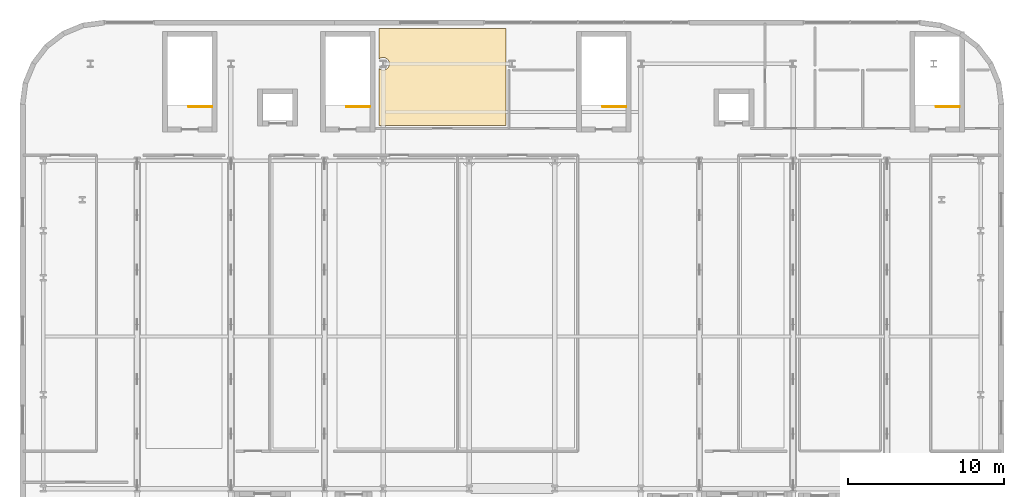
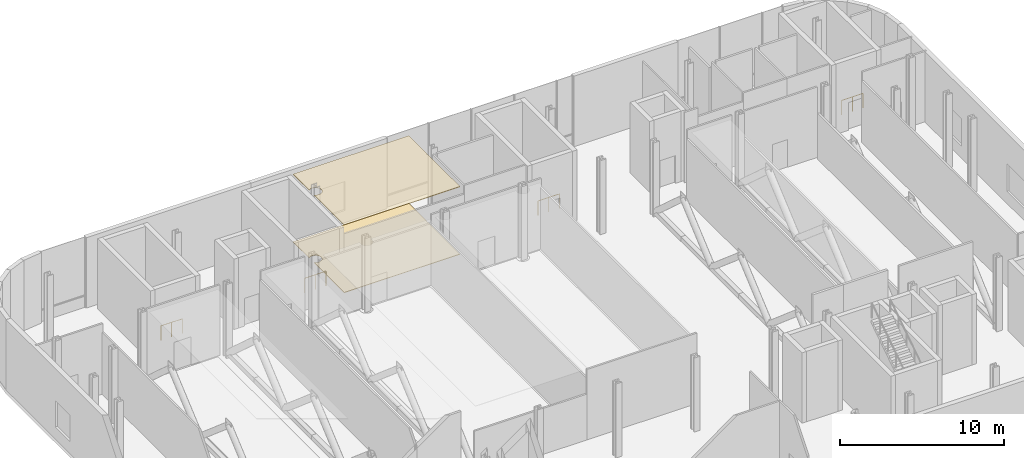
# One storey, part 17 of 17: 4 railings, 2 coverings.
"""IFC4 building model written with IfcOpenShell, lengths in metres."""

import ifcopenshell
import ifcopenshell.guid

model = None  # the IFC model being written
_history = None  # IfcOwnerHistory: only IFC2X3 demands one
_inside = {}  # id of a spatial element -> (the spatial element, [elements in it])
_under = {}  # id of a project, library or spatial element -> (it, [spatial elements below it])
_declared = {}  # id of a project -> (the project, [libraries it declares])
_typed = {}  # id of a type object -> (the type object, [elements of that type])
_made_of = {}  # id of a material, layer set ... -> (it, [elements and type objects made of it])


def new_model(schema):
    """Start an empty IFC model of exactly this schema.

    Asked for "IFC4X3", IfcOpenShell would pick the latest addendum, in which some entities
    have other attributes; the version numbers below select the first issue.
    IFC2X3 requires an IfcOwnerHistory on every rooted entity: one is made here for all.
    """
    global model, _history
    if schema == "IFC4X3":
        model = ifcopenshell.file(schema_version=(4, 3, 0, 0))
    else:
        model = ifcopenshell.file(schema=schema)
    _inside.clear()
    _under.clear()
    _declared.clear()
    _typed.clear()
    _made_of.clear()
    _history = None
    if model.schema == "IFC2X3":
        org = make("IfcOrganization", Name="unknown")
        user = make(
            "IfcPersonAndOrganization",
            ThePerson=make("IfcPerson", FamilyName="unknown"),
            TheOrganization=org,
        )
        app = make(
            "IfcApplication",
            ApplicationDeveloper=org,
            Version="unknown",
            ApplicationFullName="unknown",
            ApplicationIdentifier="unknown",
        )
        _history = make(
            "IfcOwnerHistory",
            OwningUser=user,
            OwningApplication=app,
            ChangeAction="ADDED",
            CreationDate=0,
        )
    return model


def make(cls, **values):
    """One entity of the class cls with the attributes given. An attribute that is None is left unset."""
    return model.create_entity(
        cls, **{name: value for name, value in values.items() if value is not None}
    )


def rooted(cls, **values):
    """An entity with a GlobalId (a new one), such as an element, a storey or a relation."""
    return make(cls, GlobalId=ifcopenshell.guid.new(), OwnerHistory=_history, **values)


def si_unit(unit_type, name, prefix=None):
    """IfcSIUnit, for example si_unit("LENGTHUNIT", "METRE", prefix="MILLI")."""
    return make("IfcSIUnit", UnitType=unit_type, Prefix=prefix, Name=name)


def assignment(units):
    """IfcUnitAssignment: the units of a project."""
    return None if units is None else make("IfcUnitAssignment", Units=units)


def point(xyz):
    """IfcCartesianPoint."""
    return None if xyz is None else make("IfcCartesianPoint", Coordinates=xyz)


def direction(xyz):
    """IfcDirection."""
    return None if xyz is None else make("IfcDirection", DirectionRatios=xyz)


def frame(location, z_axis=None, x_axis=None):
    """IfcAxis2Placement3D, a coordinate frame: its origin and axes. An axis left out is left unset."""
    return make(
        "IfcAxis2Placement3D",
        Location=point(location),
        Axis=direction(z_axis),
        RefDirection=direction(x_axis),
    )


def frame_2d(location, x_axis=None):
    """IfcAxis2Placement2D, a coordinate frame in the plane: its origin and x axis."""
    return make(
        "IfcAxis2Placement2D", Location=point(location), RefDirection=direction(x_axis)
    )


def origin():
    """The frame at (0, 0, 0) with its axes left unset."""
    return frame((0.0, 0.0, 0.0))


def origin_2d():
    """The frame at (0, 0) in the plane with its x axis left unset."""
    return frame_2d((0.0, 0.0))


def place(relative_to, where):
    """IfcLocalPlacement: puts the frame where relative to a parent placement (None: the world)."""
    return make(
        "IfcLocalPlacement", PlacementRelTo=relative_to, RelativePlacement=where
    )


def context(
    kind, dimensions, precision=None, world=None, true_north=None, identifier=None
):
    """IfcGeometricRepresentationContext, for example the 3D "Model" context."""
    return make(
        "IfcGeometricRepresentationContext",
        ContextIdentifier=identifier,
        ContextType=kind,
        CoordinateSpaceDimension=dimensions,
        Precision=precision,
        WorldCoordinateSystem=world,
        TrueNorth=true_north,
    )


def subcontext(parent, identifier, kind, view, scale=None):
    """IfcGeometricRepresentationSubContext, for example "Body" below "Model"."""
    return make(
        "IfcGeometricRepresentationSubContext",
        ContextIdentifier=identifier,
        ContextType=kind,
        ParentContext=parent,
        TargetScale=scale,
        TargetView=view,
    )


def project(units=None, contexts=None):
    """IfcProject with its units and contexts."""
    return rooted(
        "IfcProject",
        Name="project",
        RepresentationContexts=contexts,
        UnitsInContext=assignment(units),
    )


def spatial(cls, under=None, at=None, **own):
    """A site, building, storey or space (cls), placed at a placement, below another one or the project."""
    s = rooted(cls, ObjectPlacement=at, **own)
    if under is not None:
        _under.setdefault(under.id(), (under, []))[1].append(s)
    return s


def polyline(points):
    """IfcPolyline through the points."""
    return make("IfcPolyline", Points=[point(p) for p in points])


def profile(cls, at=None, kind="AREA", **sizes):
    """A parametric profile (cls). Its sizes go by their IFC names, for example OverallWidth=200.0."""
    return make(cls, ProfileType=kind, Position=at, **sizes)


def circle(**sizes):
    """IfcCircleProfileDef."""
    return profile("IfcCircleProfileDef", **sizes)


def outline(outer, holes=None, kind="AREA"):
    """IfcArbitraryClosedProfileDef: a profile drawn as a closed curve; with holes, ...WithVoids."""
    if holes is None:
        return make("IfcArbitraryClosedProfileDef", ProfileType=kind, OuterCurve=outer)
    return make(
        "IfcArbitraryProfileDefWithVoids",
        ProfileType=kind,
        OuterCurve=outer,
        InnerCurves=holes,
    )


def extrude(swept, where, along, depth):
    """IfcExtrudedAreaSolid: the profile swept, set in the frame where, extruded along a direction by depth."""
    return make(
        "IfcExtrudedAreaSolid",
        SweptArea=swept,
        Position=where,
        ExtrudedDirection=direction(along),
        Depth=depth,
    )


def shape(context_of_items, identifier, shape_type, items):
    """IfcShapeRepresentation: the items that make up one representation, for example the "Body"."""
    return make(
        "IfcShapeRepresentation",
        ContextOfItems=context_of_items,
        RepresentationIdentifier=identifier,
        RepresentationType=shape_type,
        Items=items,
    )


def material(Name=None, Category=None):
    """IfcMaterial."""
    return make("IfcMaterial", Name=Name, Category=Category)


def layer(
    of_material, thickness, ventilated=None, Name=None, Category=None, Priority=None
):
    """IfcMaterialLayer: one layer of a wall or slab, of a material (None: an air gap)."""
    return make(
        "IfcMaterialLayer",
        Material=of_material,
        LayerThickness=thickness,
        IsVentilated=ventilated,
        Name=Name,
        Category=Category,
        Priority=Priority,
    )


def layer_set(layers, Name=None):
    """IfcMaterialLayerSet."""
    return make("IfcMaterialLayerSet", MaterialLayers=layers, LayerSetName=Name)


def made_of(thing, what):
    """Note that an element or type object is made of a material, layer set ...; save() writes the relation."""
    if what is not None:
        _made_of.setdefault(what.id(), (what, []))[1].append(thing)
    return thing


def type_object(cls, material=None, **own):
    """A type object (cls), such as IfcWallType, which elements share."""
    return made_of(rooted(cls, **own), material)


def element(
    cls,
    number,
    at=None,
    inside=None,
    cuts=None,
    type_object=None,
    material=None,
    context=None,
    identifier="Body",
    shape_type=None,
    held_by="IfcProductDefinitionShape",
    body=None,
    shapes=None,
    **own,
):
    """One element of the class cls, such as IfcWall. Its Tag is "e" and its number.

    at: its placement. inside: the storey or other place that contains it. cuts: it is an
    opening in that element (IfcRelVoidsElement). A single representation is given by context,
    identifier, shape_type and body (its items); several are given by shapes. held_by: the class
    of the entity that holds the representations. save() writes the other relations.
    """
    e = rooted(cls, Tag="e%d" % number, ObjectPlacement=at, **own)
    if body is not None:
        shapes = [shape(context, identifier, shape_type, body)]
    if shapes is not None:
        e.Representation = make(held_by, Representations=shapes)
    if inside is not None:
        _inside.setdefault(inside.id(), (inside, []))[1].append(e)
    if cuts is not None:
        rooted(
            "IfcRelVoidsElement", RelatingBuildingElement=cuts, RelatedOpeningElement=e
        )
    if type_object is not None:
        _typed.setdefault(type_object.id(), (type_object, []))[1].append(e)
    return made_of(e, material)


def aggregate(whole, parts):
    """IfcRelAggregates: a whole, such as a stair, and the parts it consists of."""
    return rooted("IfcRelAggregates", RelatingObject=whole, RelatedObjects=parts)


def save(model, path):
    """Write the relations noted so far, then the file.

    IfcRelAggregates (storeys below a building ...), IfcRelContainedInSpatialStructure (elements
    in a storey), IfcRelDefinesByType, IfcRelAssociatesMaterial and IfcRelDeclares: one each for
    every whole, place, type object, material and project.
    """
    for whole, parts in _under.values():
        aggregate(whole, parts)
    for where, things in _inside.values():
        rooted(
            "IfcRelContainedInSpatialStructure",
            RelatedElements=things,
            RelatingStructure=where,
        )
    for kind, things in _typed.values():
        rooted("IfcRelDefinesByType", RelatedObjects=things, RelatingType=kind)
    for what, things in _made_of.values():
        rooted("IfcRelAssociatesMaterial", RelatedObjects=things, RelatingMaterial=what)
    for by, libraries in _declared.values():
        rooted("IfcRelDeclares", RelatingContext=by, RelatedDefinitions=libraries)
    model.write(path)


model = new_model("IFC4")

# Units and contexts
model_context = context("Model", 3, precision=1e-05, world=origin(), true_north=direction((0.0, 1.0)))
body_context = subcontext(model_context, "Body", "Model", "MODEL_VIEW")
ifc_project = project(units=[si_unit("LENGTHUNIT", "METRE"), si_unit("AREAUNIT", "SQUARE_METRE"), si_unit("VOLUMEUNIT", "CUBIC_METRE"), si_unit("PLANEANGLEUNIT", "RADIAN"), si_unit("MASSUNIT", "GRAM", prefix="KILO")], contexts=[model_context])

# Site, building, storey
site_placement = place(None, origin())
site = spatial("IfcSite", under=ifc_project, at=site_placement, CompositionType="ELEMENT")
building_placement = place(site_placement, origin())
building = spatial("IfcBuilding", under=site, at=building_placement, Name="Brevholm Reach", CompositionType="ELEMENT")
storey_placement = place(building_placement, frame((0.0, 0.0, 22.5)))
storey = spatial("IfcBuildingStorey", under=building, at=storey_placement, Name="L05", CompositionType="ELEMENT", Elevation=22.5)

# Coverings
ifc_material_1 = material(Name="Perforated Mineral-Fibre Class-A Acoustic Suspended Ceiling", Category="gypsum")
ifc_layer_1 = layer(ifc_material_1, 0.044921875)
ifc_layer_set_1 = layer_set([ifc_layer_1], Name="Perforated Mineral-Fibre Class-A Acoustic Suspended Ceiling")
covering_type_1 = type_object("IfcCoveringType", Name="COV-CLG-AC", PredefinedType="CEILING", material=ifc_layer_set_1)
covering_1_placement = place(storey_placement, frame((0.0, 0.0, 5.014892578125)))
element("IfcCovering", 1, at=covering_1_placement, inside=storey, type_object=covering_type_1, Name="L05 Suspended Ceiling L05-24", PredefinedType="CEILING", context=body_context, shape_type="SweptSolid", body=[
    extrude(outline(polyline([(21.47998046875, 36.905517578125), (21.49609375, 36.890869140625), (21.52783203125, 36.867431640625), (21.561279296875, 36.84716796875), (21.596923828125, 36.830322265625), (21.6337890625, 36.817138671875), (21.672119140625, 36.8076171875), (21.710693359375, 36.802001953125), (21.75, 36.800048828125), (21.789306640625, 36.802001953125), (21.827880859375, 36.8076171875), (21.8662109375, 36.817138671875), (21.903076171875, 36.830322265625), (21.938720703125, 36.84716796875), (21.97216796875, 36.867431640625), (22.00390625, 36.890869140625), (22.03271484375, 36.917236328125), (22.05908203125, 36.9462890625), (22.08251953125, 36.977783203125), (22.102783203125, 37.011474609375), (22.11962890625, 37.046875), (22.1328125, 37.083984375), (22.142333984375, 37.1220703125), (22.148193359375, 37.160888671875), (22.14990234375, 37.199951171875), (22.148193359375, 37.2392578125), (22.142333984375, 37.278076171875), (22.1328125, 37.316162109375), (22.11962890625, 37.35302734375), (22.102783203125, 37.388671875), (22.08251953125, 37.422119140625), (22.05908203125, 37.453857421875), (22.03271484375, 37.48291015625), (22.00390625, 37.50927734375), (21.97216796875, 37.53271484375), (21.938720703125, 37.552734375), (21.903076171875, 37.569580078125), (21.8662109375, 37.582763671875), (21.827880859375, 37.59228515625), (21.789306640625, 37.59814453125), (21.75, 37.60009765625), (21.710693359375, 37.59814453125), (21.672119140625, 37.59228515625), (21.6337890625, 37.582763671875), (21.596923828125, 37.569580078125), (21.561279296875, 37.552734375), (21.52783203125, 37.53271484375), (21.49609375, 37.50927734375), (21.47998046875, 37.494384765625), (21.47998046875, 39.4599609375), (29.6201171875, 39.4599609375), (29.6201171875, 37.323974609375), (29.6171875, 37.316162109375), (29.607666015625, 37.278076171875), (29.601806640625, 37.2392578125), (29.60009765625, 37.199951171875), (29.601806640625, 37.160888671875), (29.607666015625, 37.1220703125), (29.6171875, 37.083984375), (29.6201171875, 37.076171875), (29.6201171875, 33.23388671875), (21.47998046875, 33.23388671875), (21.47998046875, 36.905517578125)])), origin(), (0.0, 0.0, 1.0), 0.045166015625),
])
ifc_material_2 = material(Name="Honed Portland-Aggregate Resin Terrazzo Flooring", Category="concrete")
ifc_layer_2 = layer(ifc_material_2, 0.031982421875)
ifc_layer_set_2 = layer_set([ifc_layer_2], Name="Honed Portland-Aggregate Resin Terrazzo Flooring")
covering_type_2 = type_object("IfcCoveringType", Name="COV-FLR-TRZ", PredefinedType="FLOORING", material=ifc_layer_set_2)
covering_2_placement = place(storey_placement, origin())
element("IfcCovering", 2, at=covering_2_placement, inside=storey, type_object=covering_type_2, Name="L05 Floor Finish L05-24", PredefinedType="FLOORING", context=body_context, shape_type="SweptSolid", body=[
    extrude(outline(polyline([(21.47998046875, 36.905517578125), (21.49609375, 36.890869140625), (21.52783203125, 36.867431640625), (21.561279296875, 36.84716796875), (21.596923828125, 36.830322265625), (21.6337890625, 36.817138671875), (21.672119140625, 36.8076171875), (21.710693359375, 36.802001953125), (21.75, 36.800048828125), (21.789306640625, 36.802001953125), (21.827880859375, 36.8076171875), (21.8662109375, 36.817138671875), (21.903076171875, 36.830322265625), (21.938720703125, 36.84716796875), (21.97216796875, 36.867431640625), (22.00390625, 36.890869140625), (22.03271484375, 36.917236328125), (22.05908203125, 36.9462890625), (22.08251953125, 36.977783203125), (22.102783203125, 37.011474609375), (22.11962890625, 37.046875), (22.1328125, 37.083984375), (22.142333984375, 37.1220703125), (22.148193359375, 37.160888671875), (22.14990234375, 37.199951171875), (22.148193359375, 37.2392578125), (22.142333984375, 37.278076171875), (22.1328125, 37.316162109375), (22.11962890625, 37.35302734375), (22.102783203125, 37.388671875), (22.08251953125, 37.422119140625), (22.05908203125, 37.453857421875), (22.03271484375, 37.48291015625), (22.00390625, 37.50927734375), (21.97216796875, 37.53271484375), (21.938720703125, 37.552734375), (21.903076171875, 37.569580078125), (21.8662109375, 37.582763671875), (21.827880859375, 37.59228515625), (21.789306640625, 37.59814453125), (21.75, 37.60009765625), (21.710693359375, 37.59814453125), (21.672119140625, 37.59228515625), (21.6337890625, 37.582763671875), (21.596923828125, 37.569580078125), (21.561279296875, 37.552734375), (21.52783203125, 37.53271484375), (21.49609375, 37.50927734375), (21.47998046875, 37.494384765625), (21.47998046875, 39.4599609375), (29.6201171875, 39.4599609375), (29.6201171875, 37.323974609375), (29.6171875, 37.316162109375), (29.607666015625, 37.278076171875), (29.601806640625, 37.2392578125), (29.60009765625, 37.199951171875), (29.601806640625, 37.160888671875), (29.607666015625, 37.1220703125), (29.6171875, 37.083984375), (29.6201171875, 37.076171875), (29.6201171875, 33.23388671875), (21.47998046875, 33.23388671875), (21.47998046875, 36.905517578125)])), origin(), (0.0, 0.0, 1.0), 0.031982421875),
])

# Railings
ifc_material_3 = material(Name="Painted Tubular Galvanised Steel S275JR Stair Guard", Category="steel")
railing_type = type_object("IfcRailingType", Name="RAL-STG-1120", PredefinedType="BALUSTRADE", material=ifc_material_3)
for number, where, name in (
    (3, (10.800048828125, 34.449951171875, 0.0), "L05 ST-S1 top well guard 1"),
    (4, (20.89990234375, 34.449951171875, 0.0), "L05 ST-S2 top well guard 1"),
    (5, (37.300048828125, 34.449951171875, 0.0), "L05 ST-S3 top well guard 1"),
    (6, (58.64990234375, 34.449951171875, 0.0), "L05 ST-S4 top well guard 1"),
):
    element("IfcRailing", number, at=place(storey_placement, frame(where)), inside=storey, type_object=railing_type, Name=name, PredefinedType="BALUSTRADE", context=body_context, shape_type="SweptSolid", body=[
        extrude(circle(Radius=0.02392578125, at=origin_2d()), frame((0.0, 0.0, 1.076171875), z_axis=(-1.0, 0.0, 0.0), x_axis=(0.0, -1.0, 0.0)), (0.0, 0.0, 1.0), 1.5),
        extrude(circle(Radius=0.02099609375, at=origin_2d()), origin(), (0.0, 0.0, 1.0), 1.052001953125),
        extrude(circle(Radius=0.02099609375, at=origin_2d()), frame((-0.75, 0.0, 0.0)), (0.0, 0.0, 1.0), 1.052001953125),
        extrude(circle(Radius=0.02099609375, at=origin_2d()), frame((-1.5, 0.0, 0.0)), (0.0, 0.0, 1.0), 1.052001953125),
    ])

save(model, "model.ifc")
